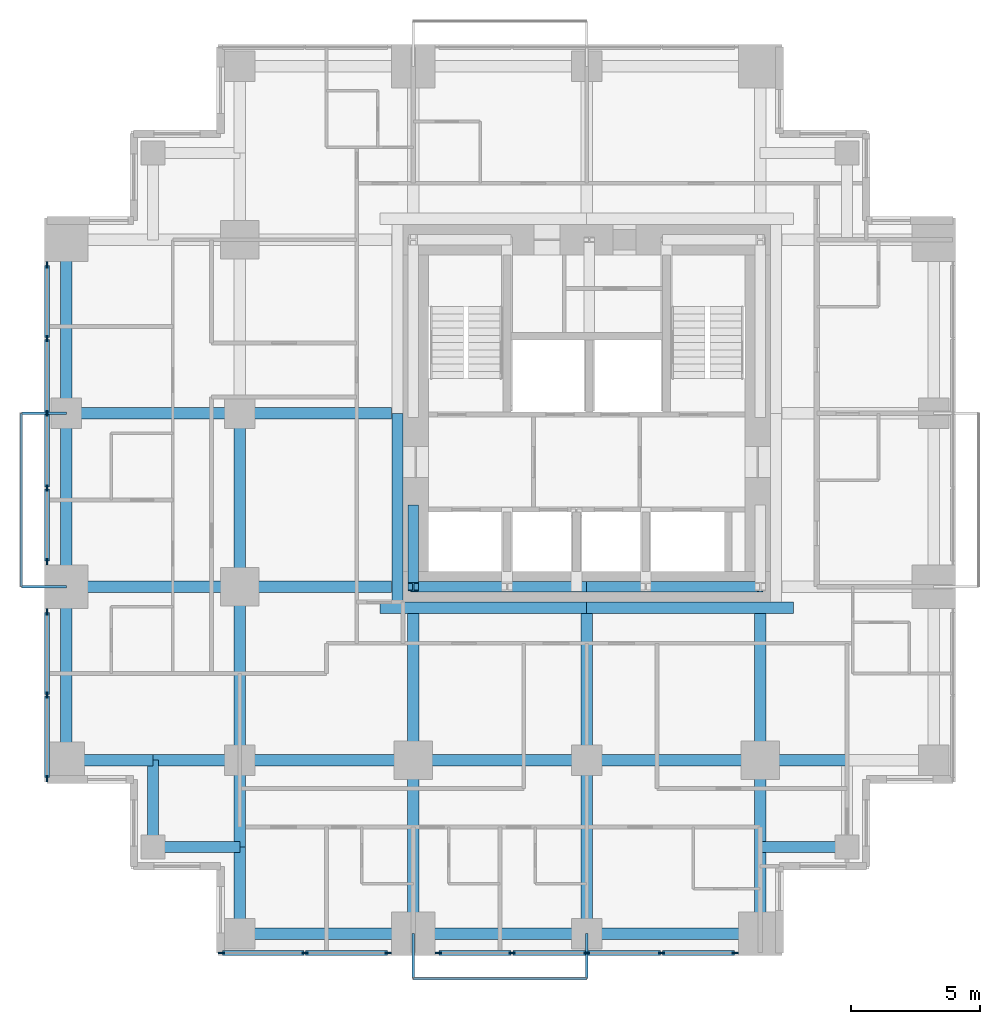
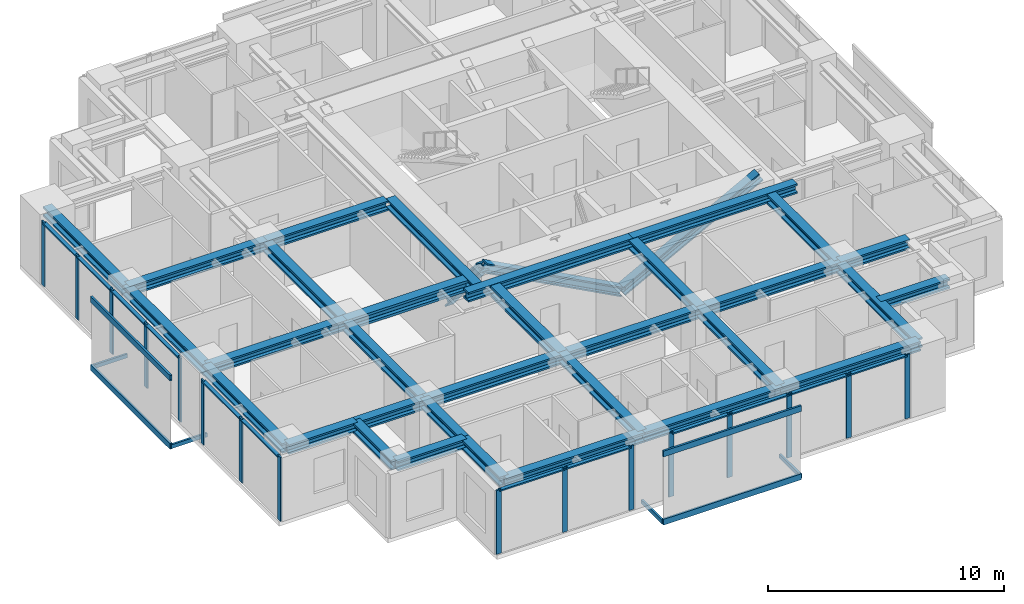
# One storey, part 2 of 10: 39 members, 32 beams, 4 elements without a shape of their own.
"""IFC4 building model written with IfcOpenShell, lengths in metres."""

from ifc_helpers import new_model, si_unit, direction, frame, origin, origin_2d, place, context, subcontext, project, spatial, rectangle, hollow_rectangle, i_section, extrude, material, material_profile, profile_set, type_object, element, aggregate, save


model = new_model("IFC4")

# Units and contexts
model_context = context("Model", 3, precision=1e-05, world=origin(), true_north=direction((0.0, 1.0)))
body_context = subcontext(model_context, "Body", "Model", "MODEL_VIEW")
ifc_project = project(units=[si_unit("LENGTHUNIT", "METRE"), si_unit("AREAUNIT", "SQUARE_METRE"), si_unit("VOLUMEUNIT", "CUBIC_METRE"), si_unit("PLANEANGLEUNIT", "RADIAN"), si_unit("MASSUNIT", "GRAM", prefix="KILO")], contexts=[model_context])

# Site, building, storey
site_placement = place(None, origin())
site = spatial("IfcSite", under=ifc_project, at=site_placement, CompositionType="ELEMENT")
building_placement = place(site_placement, origin())
building = spatial("IfcBuilding", under=site, at=building_placement, Name="Nyansa Garden Tower", CompositionType="ELEMENT")
storey_placement = place(building_placement, frame((0.0, 0.0, 196.199951171875)))
storey = spatial("IfcBuildingStorey", under=building, at=storey_placement, Name="L53", CompositionType="ELEMENT", Elevation=196.199951171875)

# Curtain wall, members
ifc_material_1 = material(Name="Black anodised aluminium, dark tinted double glazing", Category="aluminium")
curtain_wall_type = type_object("IfcCurtainWallType", Name="Inner skin curtain wall ISW-C", PredefinedType="USERDEFINED", material=ifc_material_1)
curtain_wall_1_placement = place(storey_placement, origin())
curtain_wall_1 = element("IfcCurtainWall", 1, at=curtain_wall_1_placement, inside=storey, type_object=curtain_wall_type, Name="Inner skin curtain wall L53 W", ObjectType="UNITISED CURTAIN WALL", PredefinedType="USERDEFINED")
ifc_material_2 = material(Name="Black anodised aluminium", Category="aluminium")
ifc_material_profile_1 = material_profile(ifc_material_2, rectangle(XDim=0.070068359375, YDim=0.25, at=origin_2d()), Name="Mullion 250x70")
ifc_profile_set_1 = profile_set([ifc_material_profile_1], Name="Black anodised aluminium")
member_type_1 = type_object("IfcMemberType", Name="Mullion ISW-C 250x70", PredefinedType="MULLION", material=ifc_profile_set_1)
member_1_placement = place(storey_placement, frame((-0.75, 26.02490234375, 0.0), z_axis=(0.0, 0.0, 1.0), x_axis=(1.0, 0.0, 0.0)))
member_1 = element("IfcMember", 2, at=member_1_placement, type_object=member_type_1, Name="ISW-C mullion 1", PredefinedType="MULLION", context=body_context, shape_type="SweptSolid", body=[
    extrude(rectangle(XDim=0.070068359375, YDim=0.25, at=origin_2d()), origin(), (0.0, 0.0, 1.0), 3.300048828125),
])
member_2_placement = place(storey_placement, frame((-0.75, 23.155029296875, 0.0), z_axis=(0.0, 0.0, 1.0), x_axis=(1.0, 0.0, 0.0)))
member_2 = element("IfcMember", 3, at=member_2_placement, type_object=member_type_1, Name="ISW-C mullion 2", PredefinedType="MULLION", context=body_context, shape_type="SweptSolid", body=[
    extrude(rectangle(XDim=0.070068359375, YDim=0.25, at=origin_2d()), origin(), (0.0, 0.0, 1.0), 3.300048828125),
])
member_3_placement = place(storey_placement, frame((-0.75, 20.25, 0.0), z_axis=(0.0, 0.0, 1.0), x_axis=(1.0, 0.0, 0.0)))
member_3 = element("IfcMember", 4, at=member_3_placement, type_object=member_type_1, Name="ISW-C mullion 3", PredefinedType="MULLION", context=body_context, shape_type="SweptSolid", body=[
    extrude(rectangle(XDim=0.070068359375, YDim=0.25, at=origin_2d()), origin(), (0.0, 0.0, 1.0), 3.300048828125),
])
member_4_placement = place(storey_placement, frame((-0.75, 17.344970703125, 0.0), z_axis=(0.0, 0.0, 1.0), x_axis=(1.0, 0.0, 0.0)))
member_4 = element("IfcMember", 5, at=member_4_placement, type_object=member_type_1, Name="ISW-C mullion 4", PredefinedType="MULLION", context=body_context, shape_type="SweptSolid", body=[
    extrude(rectangle(XDim=0.070068359375, YDim=0.25, at=origin_2d()), origin(), (0.0, 0.0, 1.0), 3.300048828125),
])
member_5_placement = place(storey_placement, frame((-0.75, 14.47509765625, 0.0), z_axis=(0.0, 0.0, 1.0), x_axis=(1.0, 0.0, 0.0)))
member_5 = element("IfcMember", 6, at=member_5_placement, type_object=member_type_1, Name="ISW-C mullion 5", PredefinedType="MULLION", context=body_context, shape_type="SweptSolid", body=[
    extrude(rectangle(XDim=0.070068359375, YDim=0.25, at=origin_2d()), origin(), (0.0, 0.0, 1.0), 3.300048828125),
])

curtain_wall_2_placement = place(storey_placement, origin())
curtain_wall_2 = element("IfcCurtainWall", 7, at=curtain_wall_2_placement, inside=storey, type_object=curtain_wall_type, Name="Inner skin curtain wall L53 W", ObjectType="UNITISED CURTAIN WALL", PredefinedType="USERDEFINED")
member_6_placement = place(storey_placement, frame((-0.75, 12.52490234375, 0.0), z_axis=(0.0, 0.0, 1.0), x_axis=(1.0, 0.0, 0.0)))
member_6 = element("IfcMember", 8, at=member_6_placement, type_object=member_type_1, Name="ISW-C mullion 1", PredefinedType="MULLION", context=body_context, shape_type="SweptSolid", body=[
    extrude(rectangle(XDim=0.070068359375, YDim=0.25, at=origin_2d()), origin(), (0.0, 0.0, 1.0), 3.300048828125),
])
member_7_placement = place(storey_placement, frame((-0.75, 9.280029296875, 0.0), z_axis=(0.0, 0.0, 1.0), x_axis=(1.0, 0.0, 0.0)))
member_7 = element("IfcMember", 9, at=member_7_placement, type_object=member_type_1, Name="ISW-C mullion 2", PredefinedType="MULLION", context=body_context, shape_type="SweptSolid", body=[
    extrude(rectangle(XDim=0.070068359375, YDim=0.25, at=origin_2d()), origin(), (0.0, 0.0, 1.0), 3.300048828125),
])
member_8_placement = place(storey_placement, frame((-0.75, 6.034912109375, 0.0), z_axis=(0.0, 0.0, 1.0), x_axis=(1.0, 0.0, 0.0)))
member_8 = element("IfcMember", 10, at=member_8_placement, type_object=member_type_1, Name="ISW-C mullion 3", PredefinedType="MULLION", context=body_context, shape_type="SweptSolid", body=[
    extrude(rectangle(XDim=0.070068359375, YDim=0.25, at=origin_2d()), origin(), (0.0, 0.0, 1.0), 3.300048828125),
])

curtain_wall_3_placement = place(storey_placement, origin())
curtain_wall_3 = element("IfcCurtainWall", 11, at=curtain_wall_3_placement, inside=storey, type_object=curtain_wall_type, Name="Inner skin curtain wall L53 S", ObjectType="UNITISED CURTAIN WALL", PredefinedType="USERDEFINED")
member_9_placement = place(storey_placement, frame((6.034912109375, -0.75, 0.0), z_axis=(0.0, 0.0, 1.0), x_axis=(0.0, 1.0, 0.0)))
member_9 = element("IfcMember", 12, at=member_9_placement, type_object=member_type_1, Name="ISW-C mullion 1", PredefinedType="MULLION", context=body_context, shape_type="SweptSolid", body=[
    extrude(rectangle(XDim=0.070068359375, YDim=0.25, at=origin_2d()), origin(), (0.0, 0.0, 1.0), 3.300048828125),
])
member_10_placement = place(storey_placement, frame((9.280029296875, -0.75, 0.0), z_axis=(0.0, 0.0, 1.0), x_axis=(0.0, 1.0, 0.0)))
member_10 = element("IfcMember", 13, at=member_10_placement, type_object=member_type_1, Name="ISW-C mullion 2", PredefinedType="MULLION", context=body_context, shape_type="SweptSolid", body=[
    extrude(rectangle(XDim=0.070068359375, YDim=0.25, at=origin_2d()), origin(), (0.0, 0.0, 1.0), 3.300048828125),
])
member_11_placement = place(storey_placement, frame((12.52490234375, -0.75, 0.0), z_axis=(0.0, 0.0, 1.0), x_axis=(0.0, 1.0, 0.0)))
member_11 = element("IfcMember", 14, at=member_11_placement, type_object=member_type_1, Name="ISW-C mullion 3", PredefinedType="MULLION", context=body_context, shape_type="SweptSolid", body=[
    extrude(rectangle(XDim=0.070068359375, YDim=0.25, at=origin_2d()), origin(), (0.0, 0.0, 1.0), 3.300048828125),
])

curtain_wall_4_placement = place(storey_placement, origin())
curtain_wall_4 = element("IfcCurtainWall", 15, at=curtain_wall_4_placement, inside=storey, type_object=curtain_wall_type, Name="Inner skin curtain wall L53 S", ObjectType="UNITISED CURTAIN WALL", PredefinedType="USERDEFINED")
member_12_placement = place(storey_placement, frame((14.47509765625, -0.75, 0.0), z_axis=(0.0, 0.0, 1.0), x_axis=(0.0, 1.0, 0.0)))
member_12 = element("IfcMember", 16, at=member_12_placement, type_object=member_type_1, Name="ISW-C mullion 1", PredefinedType="MULLION", context=body_context, shape_type="SweptSolid", body=[
    extrude(rectangle(XDim=0.070068359375, YDim=0.25, at=origin_2d()), origin(), (0.0, 0.0, 1.0), 3.300048828125),
])
member_13_placement = place(storey_placement, frame((17.344970703125, -0.75, 0.0), z_axis=(0.0, 0.0, 1.0), x_axis=(0.0, 1.0, 0.0)))
member_13 = element("IfcMember", 17, at=member_13_placement, type_object=member_type_1, Name="ISW-C mullion 2", PredefinedType="MULLION", context=body_context, shape_type="SweptSolid", body=[
    extrude(rectangle(XDim=0.070068359375, YDim=0.25, at=origin_2d()), origin(), (0.0, 0.0, 1.0), 3.300048828125),
])
member_14_placement = place(storey_placement, frame((20.25, -0.75, 0.0), z_axis=(0.0, 0.0, 1.0), x_axis=(0.0, 1.0, 0.0)))
member_14 = element("IfcMember", 18, at=member_14_placement, type_object=member_type_1, Name="ISW-C mullion 3", PredefinedType="MULLION", context=body_context, shape_type="SweptSolid", body=[
    extrude(rectangle(XDim=0.070068359375, YDim=0.25, at=origin_2d()), origin(), (0.0, 0.0, 1.0), 3.300048828125),
])
member_15_placement = place(storey_placement, frame((23.155029296875, -0.75, 0.0), z_axis=(0.0, 0.0, 1.0), x_axis=(0.0, 1.0, 0.0)))
member_15 = element("IfcMember", 19, at=member_15_placement, type_object=member_type_1, Name="ISW-C mullion 4", PredefinedType="MULLION", context=body_context, shape_type="SweptSolid", body=[
    extrude(rectangle(XDim=0.070068359375, YDim=0.25, at=origin_2d()), origin(), (0.0, 0.0, 1.0), 3.300048828125),
])
member_16_placement = place(storey_placement, frame((26.02490234375, -0.75, 0.0), z_axis=(0.0, 0.0, 1.0), x_axis=(0.0, 1.0, 0.0)))
member_16 = element("IfcMember", 20, at=member_16_placement, type_object=member_type_1, Name="ISW-C mullion 5", PredefinedType="MULLION", context=body_context, shape_type="SweptSolid", body=[
    extrude(rectangle(XDim=0.070068359375, YDim=0.25, at=origin_2d()), origin(), (0.0, 0.0, 1.0), 3.300048828125),
])

# Members
ifc_material_3 = material(Name="Steel S355, black powder coated", Category="steel")
ifc_material_profile_2 = material_profile(ifc_material_3, hollow_rectangle(XDim=0.10009765625, YDim=0.199951171875, WallThickness=0.008056640625, at=origin_2d()), Name="RHS 200x100x8")
ifc_profile_set_2 = profile_set([ifc_material_profile_2], Name="Steel S355, black powder coated")
member_type_2 = type_object("IfcMemberType", Name="Outer skin bracket arm RHS 200x100x8", PredefinedType="USERDEFINED", material=ifc_profile_set_2)
for number, where, z_axis, x_axis, name in (
    (21, (0.0, 13.5, -0.375), (-1.0, 0.0, 0.0), (0.0, -1.0, 0.0), "Outer skin bracket arm"),
    (22, (0.0, 20.25, -0.375), (-1.0, 0.0, 0.0), (0.0, -1.0, 0.0), "Outer skin bracket arm"),
    (23, (13.5, 0.0, -0.375), (0.0, -1.0, 0.0), (1.0, 0.0, 0.0), "Outer skin bracket arm"),
    (24, (20.25, 0.0, -0.375), (0.0, -1.0, 0.0), (1.0, 0.0, 0.0), "Outer skin bracket arm"),
):
    element("IfcMember", number, at=place(storey_placement, frame(where, z_axis=z_axis, x_axis=x_axis)), inside=storey, type_object=member_type_2, Name=name, ObjectType="OUTER SKIN BRACKET", PredefinedType="USERDEFINED", context=body_context, shape_type="SweptSolid", body=[
        extrude(hollow_rectangle(XDim=0.10009765625, YDim=0.199951171875, WallThickness=0.008056640625, at=origin_2d()), origin(), (0.0, 0.0, 1.0), 1.75),
    ])
ifc_material_4 = material(Name="Steel S355, black powder coated", Category="steel")
ifc_material_profile_3 = material_profile(ifc_material_4, hollow_rectangle(XDim=0.10009765625, YDim=0.300048828125, WallThickness=0.010009765625, at=origin_2d()), Name="RHS 300x100x10")
ifc_profile_set_3 = profile_set([ifc_material_profile_3], Name="Steel S355, black powder coated")
member_type_3 = type_object("IfcMemberType", Name="Outer skin rail RHS 300x100x10", PredefinedType="USERDEFINED", material=ifc_profile_set_3)
for number, where, z_axis, x_axis, name in (
    (25, (-1.75, 13.5, -0.375), (0.0, 1.0, 0.0), (-1.0, 0.0, 0.0), "Outer skin rail L53"),
    (26, (-1.75, 13.5, 3.150146484375), (0.0, 1.0, 0.0), (-1.0, 0.0, 0.0), "Outer skin rail L53 head"),
    (27, (13.5, -1.75, -0.375), (1.0, 0.0, 0.0), (0.0, 1.0, 0.0), "Outer skin rail L53"),
    (28, (13.5, -1.75, 3.150146484375), (1.0, 0.0, 0.0), (0.0, 1.0, 0.0), "Outer skin rail L53 head"),
):
    element("IfcMember", number, at=place(storey_placement, frame(where, z_axis=z_axis, x_axis=x_axis)), inside=storey, type_object=member_type_3, Name=name, ObjectType="OUTER SKIN RAIL", PredefinedType="USERDEFINED", context=body_context, shape_type="SweptSolid", body=[
        extrude(hollow_rectangle(XDim=0.10009765625, YDim=0.300048828125, WallThickness=0.010009765625, at=origin_2d()), origin(), (0.0, 0.0, 1.0), 6.75),
    ])
ifc_material_5 = material(Name="Steel S355", Category="steel")
ifc_material_profile_4 = material_profile(ifc_material_5, i_section(OverallWidth=0.41796875, OverallDepth=0.455078125, WebThickness=0.0419921875, FlangeThickness=0.067626953125, FilletRadius=0.014892578125, at=origin_2d()), Name="HD 400x463")
ifc_profile_set_4 = profile_set([ifc_material_profile_4], Name="Steel S355")
member_type_4 = type_object("IfcMemberType", Name="Perimeter brace heavy HD 400x463", PredefinedType="BRACE", material=ifc_profile_set_4)
for number, where, z_axis, x_axis, name in (
    (29, (20.25, 13.5, 0.0), (-0.882347640589, 0.0, 0.47059817376), (0.0, -1.0, 0.0), "Core brace CS1 L53"),
    (30, (20.25, 13.5, 0.0), (0.882347640589, 0.0, 0.47059817376), (0.0, 1.0, 0.0), "Core brace CS2 L53"),
):
    element("IfcMember", number, at=place(storey_placement, frame(where, z_axis=z_axis, x_axis=x_axis)), inside=storey, type_object=member_type_4, Name=name, PredefinedType="BRACE", context=body_context, shape_type="SweptSolid", body=[
        extrude(i_section(OverallWidth=0.41796875, OverallDepth=0.455078125, WebThickness=0.0419921875, FlangeThickness=0.067626953125, FilletRadius=0.014892578125, at=origin_2d()), origin(), (0.0, 0.0, 1.0), 7.650146484375),
    ])
member_17_placement = place(storey_placement, frame((13.5, 16.5, 0.0), z_axis=(0.0, -0.640174150918, 0.768229820104), x_axis=(1.0, 0.0, 0.0)))
element("IfcMember", 31, at=member_17_placement, inside=storey, type_object=member_type_4, Name="Core brace CW5 L53", PredefinedType="BRACE", context=body_context, shape_type="SweptSolid", body=[
    extrude(i_section(OverallWidth=0.41796875, OverallDepth=0.455078125, WebThickness=0.0419921875, FlangeThickness=0.067626953125, FilletRadius=0.014892578125, at=origin_2d()), origin(), (0.0, 0.0, 1.0), 4.686279296875),
])

# Beams
ifc_material_6 = material(Name="Steel S355", Category="steel")
ifc_material_profile_5 = material_profile(ifc_material_6, i_section(OverallWidth=0.431884765625, OverallDepth=0.498046875, WebThickness=0.0556640625, FlangeThickness=0.0888671875, FilletRadius=0.014892578125, at=origin_2d()), Name="HD 400x744")
ifc_profile_set_5 = profile_set([ifc_material_profile_5], Name="Steel S355")
beam_type_1 = type_object("IfcBeamType", Name="Steel beam SBC2-744 HD 400x744", PredefinedType="BEAM", material=ifc_profile_set_5)
beam_1_placement = place(storey_placement, frame((0.0, 20.25, 3.051025390625), z_axis=(1.0, 0.0, 0.0), x_axis=(0.0, 1.0, 0.0)))
element("IfcBeam", 32, at=beam_1_placement, inside=storey, type_object=beam_type_1, Name="Steel beam 2/G-3/G L54", PredefinedType="BEAM", context=body_context, shape_type="SweptSolid", body=[
    extrude(i_section(OverallWidth=0.431884765625, OverallDepth=0.498046875, WebThickness=0.0556640625, FlangeThickness=0.0888671875, FilletRadius=0.014892578125, at=origin_2d()), origin(), (0.0, 0.0, 1.0), 6.75),
])
for number, where, z_axis, x_axis, name in (
    (33, (3.375, 6.75, 3.051025390625), (1.0, 0.0, 0.0), (0.0, 1.0, 0.0), "Steel beam 3.375/E-3/E L54"),
    (34, (6.75, 3.375, 3.051025390625), (0.0, 1.0, 0.0), (-1.0, 0.0, 0.0), "Steel beam 3/3.375-3/E L54"),
):
    element("IfcBeam", number, at=place(storey_placement, frame(where, z_axis=z_axis, x_axis=x_axis)), inside=storey, type_object=beam_type_1, Name=name, PredefinedType="BEAM", context=body_context, shape_type="SweptSolid", body=[
        extrude(i_section(OverallWidth=0.431884765625, OverallDepth=0.498046875, WebThickness=0.0556640625, FlangeThickness=0.0888671875, FilletRadius=0.014892578125, at=origin_2d()), origin(), (0.0, 0.0, 1.0), 3.375),
    ])
for number, where, z_axis, x_axis, name in (
    (35, (6.75, 6.75, 3.051025390625), (0.0, 1.0, 0.0), (-1.0, 0.0, 0.0), "Steel beam 3/E-3/F L54"),
    (36, (6.75, 6.75, 3.051025390625), (1.0, 0.0, 0.0), (0.0, 1.0, 0.0), "Steel beam 3/E-4/E L54"),
    (37, (6.75, 13.5, 3.051025390625), (0.0, 1.0, 0.0), (-1.0, 0.0, 0.0), "Steel beam 3/F-3/G L54"),
):
    element("IfcBeam", number, at=place(storey_placement, frame(where, z_axis=z_axis, x_axis=x_axis)), inside=storey, type_object=beam_type_1, Name=name, PredefinedType="BEAM", context=body_context, shape_type="SweptSolid", body=[
        extrude(i_section(OverallWidth=0.431884765625, OverallDepth=0.498046875, WebThickness=0.0556640625, FlangeThickness=0.0888671875, FilletRadius=0.014892578125, at=origin_2d()), origin(), (0.0, 0.0, 1.0), 6.75),
    ])
beam_2_placement = place(storey_placement, frame((6.75, 20.25, 3.051025390625), z_axis=(1.0, 0.0, 0.0), x_axis=(0.0, 1.0, 0.0)))
element("IfcBeam", 38, at=beam_2_placement, inside=storey, type_object=beam_type_1, Name="Steel beam 3/G-12.650/G L54", PredefinedType="BEAM", context=body_context, shape_type="SweptSolid", body=[
    extrude(i_section(OverallWidth=0.431884765625, OverallDepth=0.498046875, WebThickness=0.0556640625, FlangeThickness=0.0888671875, FilletRadius=0.014892578125, at=origin_2d()), origin(), (0.0, 0.0, 1.0), 5.89990234375),
])
for number, where, z_axis, x_axis, name in (
    (39, (13.5, 6.75, 3.051025390625), (1.0, 0.0, 0.0), (0.0, 1.0, 0.0), "Steel beam 4/E-5/E L54"),
    (40, (20.25, 0.0, 3.051025390625), (0.0, 1.0, 0.0), (-1.0, 0.0, 0.0), "Steel beam 5/D-5/E L54"),
):
    element("IfcBeam", number, at=place(storey_placement, frame(where, z_axis=z_axis, x_axis=x_axis)), inside=storey, type_object=beam_type_1, Name=name, PredefinedType="BEAM", context=body_context, shape_type="SweptSolid", body=[
        extrude(i_section(OverallWidth=0.431884765625, OverallDepth=0.498046875, WebThickness=0.0556640625, FlangeThickness=0.0888671875, FilletRadius=0.014892578125, at=origin_2d()), origin(), (0.0, 0.0, 1.0), 6.75),
    ])
beam_3_placement = place(storey_placement, frame((20.25, 6.75, 3.051025390625), z_axis=(0.0, 1.0, 0.0), x_axis=(-1.0, 0.0, 0.0)))
element("IfcBeam", 41, at=beam_3_placement, inside=storey, type_object=beam_type_1, Name="Steel beam 5/E-5/12.450 L54", PredefinedType="BEAM", context=body_context, shape_type="SweptSolid", body=[
    extrude(i_section(OverallWidth=0.431884765625, OverallDepth=0.498046875, WebThickness=0.0556640625, FlangeThickness=0.0888671875, FilletRadius=0.014892578125, at=origin_2d()), origin(), (0.0, 0.0, 1.0), 5.699951171875),
])
beam_4_placement = place(storey_placement, frame((20.25, 6.75, 3.051025390625), z_axis=(1.0, 0.0, 0.0), x_axis=(0.0, 1.0, 0.0)))
element("IfcBeam", 42, at=beam_4_placement, inside=storey, type_object=beam_type_1, Name="Steel beam 5/E-6/E L54", PredefinedType="BEAM", context=body_context, shape_type="SweptSolid", body=[
    extrude(i_section(OverallWidth=0.431884765625, OverallDepth=0.498046875, WebThickness=0.0556640625, FlangeThickness=0.0888671875, FilletRadius=0.014892578125, at=origin_2d()), origin(), (0.0, 0.0, 1.0), 6.75),
])
beam_5_placement = place(storey_placement, frame((27.0, 6.75, 3.051025390625), z_axis=(1.0, 0.0, 0.0), x_axis=(0.0, 1.0, 0.0)))
element("IfcBeam", 43, at=beam_5_placement, inside=storey, type_object=beam_type_1, Name="Steel beam 6/E-30.375/E L54", PredefinedType="BEAM", context=body_context, shape_type="SweptSolid", body=[
    extrude(i_section(OverallWidth=0.431884765625, OverallDepth=0.498046875, WebThickness=0.0556640625, FlangeThickness=0.0888671875, FilletRadius=0.014892578125, at=origin_2d()), origin(), (0.0, 0.0, 1.0), 3.375),
])
ifc_material_7 = material(Name="Steel S355", Category="steel")
ifc_material_profile_6 = material_profile(ifc_material_7, i_section(OverallWidth=0.431884765625, OverallDepth=0.498046875, WebThickness=0.0556640625, FlangeThickness=0.0888671875, FilletRadius=0.014892578125, at=origin_2d()), Name="HD 400x744")
ifc_profile_set_6 = profile_set([ifc_material_profile_6], Name="Steel S355")
beam_type_2 = type_object("IfcBeamType", Name="Steel beam SEBC-744 HD 400x744", PredefinedType="BEAM", material=ifc_profile_set_6)
for number, where, z_axis, x_axis, name in (
    (44, (0.0, 6.75, 3.051025390625), (0.0, 1.0, 0.0), (-1.0, 0.0, 0.0), "Steel edge beam 2/E-2/F L54"),
    (45, (0.0, 13.5, 3.051025390625), (0.0, 1.0, 0.0), (-1.0, 0.0, 0.0), "Steel edge beam 2/F-2/G L54"),
    (46, (0.0, 20.25, 3.051025390625), (0.0, 1.0, 0.0), (-1.0, 0.0, 0.0), "Steel edge beam 2/G-2/H L54"),
    (47, (6.75, 0.0, 3.051025390625), (1.0, 0.0, 0.0), (0.0, 1.0, 0.0), "Steel edge beam 3/D-4/D L54"),
    (48, (13.5, 0.0, 3.051025390625), (1.0, 0.0, 0.0), (0.0, 1.0, 0.0), "Steel edge beam 4/D-5/D L54"),
    (49, (20.25, 0.0, 3.051025390625), (1.0, 0.0, 0.0), (0.0, 1.0, 0.0), "Steel edge beam 5/D-6/D L54"),
):
    element("IfcBeam", number, at=place(storey_placement, frame(where, z_axis=z_axis, x_axis=x_axis)), inside=storey, type_object=beam_type_2, Name=name, PredefinedType="BEAM", context=body_context, shape_type="SweptSolid", body=[
        extrude(i_section(OverallWidth=0.431884765625, OverallDepth=0.498046875, WebThickness=0.0556640625, FlangeThickness=0.0888671875, FilletRadius=0.014892578125, at=origin_2d()), origin(), (0.0, 0.0, 1.0), 6.75),
    ])
ifc_material_8 = material(Name="Steel S355", Category="steel")
ifc_material_profile_7 = material_profile(ifc_material_8, i_section(OverallWidth=0.431884765625, OverallDepth=0.498046875, WebThickness=0.0556640625, FlangeThickness=0.0888671875, FilletRadius=0.014892578125, at=origin_2d()), Name="HD 400x744")
ifc_profile_set_7 = profile_set([ifc_material_profile_7], Name="Steel S355")
beam_type_3 = type_object("IfcBeamType", Name="Steel beam SEBC2-744 HD 400x744", PredefinedType="BEAM", material=ifc_profile_set_7)
for number, where, z_axis, x_axis, name in (
    (50, (0.0, 6.75, 3.051025390625), (1.0, 0.0, 0.0), (0.0, 1.0, 0.0), "Steel edge beam 2/E-3.375/E L54"),
    (51, (6.75, 0.0, 3.051025390625), (0.0, 1.0, 0.0), (-1.0, 0.0, 0.0), "Steel edge beam 3/D-3/3.375 L54"),
):
    element("IfcBeam", number, at=place(storey_placement, frame(where, z_axis=z_axis, x_axis=x_axis)), inside=storey, type_object=beam_type_3, Name=name, PredefinedType="BEAM", context=body_context, shape_type="SweptSolid", body=[
        extrude(i_section(OverallWidth=0.431884765625, OverallDepth=0.498046875, WebThickness=0.0556640625, FlangeThickness=0.0888671875, FilletRadius=0.014892578125, at=origin_2d()), origin(), (0.0, 0.0, 1.0), 3.375),
    ])
ifc_material_9 = material(Name="Steel S355", Category="steel")
ifc_material_profile_8 = material_profile(ifc_material_9, i_section(OverallWidth=0.431884765625, OverallDepth=0.498046875, WebThickness=0.0556640625, FlangeThickness=0.0888671875, FilletRadius=0.014892578125, at=origin_2d()), Name="HD 400x744")
ifc_profile_set_8 = profile_set([ifc_material_profile_8], Name="Steel S355")
beam_type_4 = type_object("IfcBeamType", Name="Steel beam SLB1-744 HD 400x744", PredefinedType="BEAM", material=ifc_profile_set_8)
for number, where, z_axis, x_axis, name in (
    (52, (12.199951171875, 12.68408203125, 3.051025390625), (1.0, 0.0, 0.0), (0.0, 1.0, 0.0), "Steel core ledger beam S.1 L54"),
    (53, (20.25, 12.68408203125, 3.051025390625), (1.0, 0.0, 0.0), (0.0, 1.0, 0.0), "Steel core ledger beam S.2 L54"),
):
    element("IfcBeam", number, at=place(storey_placement, frame(where, z_axis=z_axis, x_axis=x_axis)), inside=storey, type_object=beam_type_4, Name=name, PredefinedType="BEAM", context=body_context, shape_type="SweptSolid", body=[
        extrude(i_section(OverallWidth=0.431884765625, OverallDepth=0.498046875, WebThickness=0.0556640625, FlangeThickness=0.0888671875, FilletRadius=0.014892578125, at=origin_2d()), origin(), (0.0, 0.0, 1.0), 8.050048828125),
    ])
beam_6_placement = place(storey_placement, frame((12.884033203125, 20.25, 3.051025390625), z_axis=(0.0, -1.0, 0.0), x_axis=(1.0, 0.0, 0.0)))
element("IfcBeam", 54, at=beam_6_placement, inside=storey, type_object=beam_type_4, Name="Steel core ledger beam W.2 L54", PredefinedType="BEAM", context=body_context, shape_type="SweptSolid", body=[
    extrude(i_section(OverallWidth=0.431884765625, OverallDepth=0.498046875, WebThickness=0.0556640625, FlangeThickness=0.0888671875, FilletRadius=0.014892578125, at=origin_2d()), origin(), (0.0, 0.0, 1.0), 7.35009765625),
])
ifc_material_10 = material(Name="Steel S355", Category="steel")
ifc_material_profile_9 = material_profile(ifc_material_10, i_section(OverallWidth=0.4541015625, OverallDepth=0.569091796875, WebThickness=0.077880859375, FlangeThickness=0.125, FilletRadius=0.014892578125, at=origin_2d()), Name="HD 400x1086")
ifc_profile_set_9 = profile_set([ifc_material_profile_9], Name="Steel S355")
beam_type_5 = type_object("IfcBeamType", Name="Steel beam SOC1-1086 HD 400x1086", PredefinedType="BEAM", material=ifc_profile_set_9)
beam_7_placement = place(storey_placement, frame((6.75, 13.5, 3.015625), z_axis=(1.0, 0.0, 0.0), x_axis=(0.0, 1.0, 0.0)))
element("IfcBeam", 55, at=beam_7_placement, inside=storey, type_object=beam_type_5, Name="Steel beam 3/F-12.650/F L54", PredefinedType="BEAM", context=body_context, shape_type="SweptSolid", body=[
    extrude(i_section(OverallWidth=0.4541015625, OverallDepth=0.569091796875, WebThickness=0.077880859375, FlangeThickness=0.125, FilletRadius=0.014892578125, at=origin_2d()), origin(), (0.0, 0.0, 1.0), 5.89990234375),
])
beam_8_placement = place(storey_placement, frame((13.5, 6.75, 3.015625), z_axis=(0.0, 1.0, 0.0), x_axis=(-1.0, 0.0, 0.0)))
element("IfcBeam", 56, at=beam_8_placement, inside=storey, type_object=beam_type_5, Name="Steel beam 4/E-4/12.450 L54", PredefinedType="BEAM", context=body_context, shape_type="SweptSolid", body=[
    extrude(i_section(OverallWidth=0.4541015625, OverallDepth=0.569091796875, WebThickness=0.077880859375, FlangeThickness=0.125, FilletRadius=0.014892578125, at=origin_2d()), origin(), (0.0, 0.0, 1.0), 5.699951171875),
])
ifc_material_11 = material(Name="Steel S355", Category="steel")
ifc_material_profile_10 = material_profile(ifc_material_11, i_section(OverallWidth=0.431884765625, OverallDepth=0.498046875, WebThickness=0.0556640625, FlangeThickness=0.0888671875, FilletRadius=0.014892578125, at=origin_2d()), Name="HD 400x744")
ifc_profile_set_10 = profile_set([ifc_material_profile_10], Name="Steel S355")
beam_type_6 = type_object("IfcBeamType", Name="Steel beam SOC1-744 HD 400x744", PredefinedType="BEAM", material=ifc_profile_set_10)
for number, where, z_axis, x_axis, name in (
    (57, (0.0, 13.5, 3.051025390625), (1.0, 0.0, 0.0), (0.0, 1.0, 0.0), "Steel beam 2/F-3/F L54"),
    (58, (13.5, 0.0, 3.051025390625), (0.0, 1.0, 0.0), (-1.0, 0.0, 0.0), "Steel beam 4/D-4/E L54"),
    (59, (27.0, 0.0, 3.051025390625), (0.0, 1.0, 0.0), (-1.0, 0.0, 0.0), "Steel beam 6/D-6/E L54"),
):
    element("IfcBeam", number, at=place(storey_placement, frame(where, z_axis=z_axis, x_axis=x_axis)), inside=storey, type_object=beam_type_6, Name=name, PredefinedType="BEAM", context=body_context, shape_type="SweptSolid", body=[
        extrude(i_section(OverallWidth=0.431884765625, OverallDepth=0.498046875, WebThickness=0.0556640625, FlangeThickness=0.0888671875, FilletRadius=0.014892578125, at=origin_2d()), origin(), (0.0, 0.0, 1.0), 6.75),
    ])
beam_9_placement = place(storey_placement, frame((27.0, 6.75, 3.051025390625), z_axis=(0.0, 1.0, 0.0), x_axis=(-1.0, 0.0, 0.0)))
element("IfcBeam", 60, at=beam_9_placement, inside=storey, type_object=beam_type_6, Name="Steel beam 6/E-6/12.450 L54", PredefinedType="BEAM", context=body_context, shape_type="SweptSolid", body=[
    extrude(i_section(OverallWidth=0.431884765625, OverallDepth=0.498046875, WebThickness=0.0556640625, FlangeThickness=0.0888671875, FilletRadius=0.014892578125, at=origin_2d()), origin(), (0.0, 0.0, 1.0), 5.699951171875),
])
ifc_material_12 = material(Name="Steel S355", Category="steel")
ifc_material_profile_11 = material_profile(ifc_material_12, i_section(OverallWidth=0.431884765625, OverallDepth=0.498046875, WebThickness=0.0556640625, FlangeThickness=0.0888671875, FilletRadius=0.014892578125, at=origin_2d()), Name="HD 400x744")
ifc_profile_set_11 = profile_set([ifc_material_profile_11], Name="Steel S355")
beam_type_7 = type_object("IfcBeamType", Name="Steel beam SSB1-744 HD 400x744", PredefinedType="BEAM", material=ifc_profile_set_11)
for number, where, z_axis, x_axis, name in (
    (61, (3.375, 3.375, 3.051025390625), (0.0, 1.0, 0.0), (-1.0, 0.0, 0.0), "Steel step beam 3.375/3.375 L54"),
    (62, (3.375, 3.375, 3.051025390625), (1.0, 0.0, 0.0), (0.0, 1.0, 0.0), "Steel step beam 3.375/3.375 L54"),
    (63, (30.375, 3.375, 3.051025390625), (-1.0, 0.0, 0.0), (0.0, -1.0, 0.0), "Steel step beam 30.375/3.375 L54"),
):
    element("IfcBeam", number, at=place(storey_placement, frame(where, z_axis=z_axis, x_axis=x_axis)), inside=storey, type_object=beam_type_7, Name=name, PredefinedType="BEAM", context=body_context, shape_type="SweptSolid", body=[
        extrude(i_section(OverallWidth=0.431884765625, OverallDepth=0.498046875, WebThickness=0.0556640625, FlangeThickness=0.0888671875, FilletRadius=0.014892578125, at=origin_2d()), origin(), (0.0, 0.0, 1.0), 3.375),
    ])

# Member
ifc_material_13 = material(Name="Black anodised aluminium", Category="aluminium")
ifc_material_profile_12 = material_profile(ifc_material_13, rectangle(XDim=0.179931640625, YDim=0.070068359375, at=origin_2d()), Name="Transom 180x70")
ifc_profile_set_12 = profile_set([ifc_material_profile_12], Name="Black anodised aluminium")
member_type_5 = type_object("IfcMemberType", Name="Transom ISW-C 180x70", PredefinedType="USERDEFINED", material=ifc_profile_set_12)
member_18_placement = place(storey_placement, frame((-0.75, 25.989990234375, 3.26513671875), z_axis=(0.0, -1.0, 0.0), x_axis=(1.0, 0.0, 0.0)))
member_18 = element("IfcMember", 64, at=member_18_placement, type_object=member_type_5, Name="ISW-C transom 1", ObjectType="TRANSOM", PredefinedType="USERDEFINED", context=body_context, shape_type="SweptSolid", body=[
    extrude(rectangle(XDim=0.179931640625, YDim=0.070068359375, at=origin_2d()), origin(), (0.0, 0.0, 1.0), 2.800048828125),
])

member_19_placement = place(storey_placement, frame((-0.75, 23.1201171875, 3.26513671875), z_axis=(0.0, -1.0, 0.0), x_axis=(1.0, 0.0, 0.0)))
member_19 = element("IfcMember", 65, at=member_19_placement, type_object=member_type_5, Name="ISW-C transom 2", ObjectType="TRANSOM", PredefinedType="USERDEFINED", context=body_context, shape_type="SweptSolid", body=[
    extrude(rectangle(XDim=0.179931640625, YDim=0.070068359375, at=origin_2d()), origin(), (0.0, 0.0, 1.0), 2.835205078125),
])

member_20_placement = place(storey_placement, frame((-0.75, 20.215087890625, 3.26513671875), z_axis=(0.0, -1.0, 0.0), x_axis=(1.0, 0.0, 0.0)))
member_20 = element("IfcMember", 66, at=member_20_placement, type_object=member_type_5, Name="ISW-C transom 3", ObjectType="TRANSOM", PredefinedType="USERDEFINED", context=body_context, shape_type="SweptSolid", body=[
    extrude(rectangle(XDim=0.179931640625, YDim=0.070068359375, at=origin_2d()), origin(), (0.0, 0.0, 1.0), 2.835205078125),
])

member_21_placement = place(storey_placement, frame((-0.75, 17.31005859375, 3.26513671875), z_axis=(0.0, -1.0, 0.0), x_axis=(1.0, 0.0, 0.0)))
member_21 = element("IfcMember", 67, at=member_21_placement, type_object=member_type_5, Name="ISW-C transom 4", ObjectType="TRANSOM", PredefinedType="USERDEFINED", context=body_context, shape_type="SweptSolid", body=[
    extrude(rectangle(XDim=0.179931640625, YDim=0.070068359375, at=origin_2d()), origin(), (0.0, 0.0, 1.0), 2.800048828125),
])

aggregate(curtain_wall_1, [member_1, member_2, member_3, member_4, member_5, member_18, member_19, member_20, member_21])

member_22_placement = place(storey_placement, frame((-0.75, 12.489990234375, 3.26513671875), z_axis=(0.0, -1.0, 0.0), x_axis=(1.0, 0.0, 0.0)))
member_22 = element("IfcMember", 68, at=member_22_placement, type_object=member_type_5, Name="ISW-C transom 1", ObjectType="TRANSOM", PredefinedType="USERDEFINED", context=body_context, shape_type="SweptSolid", body=[
    extrude(rectangle(XDim=0.179931640625, YDim=0.070068359375, at=origin_2d()), origin(), (0.0, 0.0, 1.0), 3.175048828125),
])

member_23_placement = place(storey_placement, frame((-0.75, 9.2451171875, 3.26513671875), z_axis=(0.0, -1.0, 0.0), x_axis=(1.0, 0.0, 0.0)))
member_23 = element("IfcMember", 69, at=member_23_placement, type_object=member_type_5, Name="ISW-C transom 2", ObjectType="TRANSOM", PredefinedType="USERDEFINED", context=body_context, shape_type="SweptSolid", body=[
    extrude(rectangle(XDim=0.179931640625, YDim=0.070068359375, at=origin_2d()), origin(), (0.0, 0.0, 1.0), 3.175048828125),
])

aggregate(curtain_wall_2, [member_6, member_7, member_8, member_22, member_23])

member_24_placement = place(storey_placement, frame((6.070068359375, -0.75, 3.26513671875), z_axis=(1.0, 0.0, 0.0), x_axis=(0.0, 1.0, 0.0)))
member_24 = element("IfcMember", 70, at=member_24_placement, type_object=member_type_5, Name="ISW-C transom 1", ObjectType="TRANSOM", PredefinedType="USERDEFINED", context=body_context, shape_type="SweptSolid", body=[
    extrude(rectangle(XDim=0.179931640625, YDim=0.070068359375, at=origin_2d()), origin(), (0.0, 0.0, 1.0), 3.175048828125),
])

member_25_placement = place(storey_placement, frame((9.31494140625, -0.75, 3.26513671875), z_axis=(1.0, 0.0, 0.0), x_axis=(0.0, 1.0, 0.0)))
member_25 = element("IfcMember", 71, at=member_25_placement, type_object=member_type_5, Name="ISW-C transom 2", ObjectType="TRANSOM", PredefinedType="USERDEFINED", context=body_context, shape_type="SweptSolid", body=[
    extrude(rectangle(XDim=0.179931640625, YDim=0.070068359375, at=origin_2d()), origin(), (0.0, 0.0, 1.0), 3.175048828125),
])

aggregate(curtain_wall_3, [member_9, member_10, member_11, member_24, member_25])

member_26_placement = place(storey_placement, frame((14.510009765625, -0.75, 3.26513671875), z_axis=(1.0, 0.0, 0.0), x_axis=(0.0, 1.0, 0.0)))
member_26 = element("IfcMember", 72, at=member_26_placement, type_object=member_type_5, Name="ISW-C transom 1", ObjectType="TRANSOM", PredefinedType="USERDEFINED", context=body_context, shape_type="SweptSolid", body=[
    extrude(rectangle(XDim=0.179931640625, YDim=0.070068359375, at=origin_2d()), origin(), (0.0, 0.0, 1.0), 2.800048828125),
])

member_27_placement = place(storey_placement, frame((17.3798828125, -0.75, 3.26513671875), z_axis=(1.0, 0.0, 0.0), x_axis=(0.0, 1.0, 0.0)))
member_27 = element("IfcMember", 73, at=member_27_placement, type_object=member_type_5, Name="ISW-C transom 2", ObjectType="TRANSOM", PredefinedType="USERDEFINED", context=body_context, shape_type="SweptSolid", body=[
    extrude(rectangle(XDim=0.179931640625, YDim=0.070068359375, at=origin_2d()), origin(), (0.0, 0.0, 1.0), 2.835205078125),
])

member_28_placement = place(storey_placement, frame((20.284912109375, -0.75, 3.26513671875), z_axis=(1.0, 0.0, 0.0), x_axis=(0.0, 1.0, 0.0)))
member_28 = element("IfcMember", 74, at=member_28_placement, type_object=member_type_5, Name="ISW-C transom 3", ObjectType="TRANSOM", PredefinedType="USERDEFINED", context=body_context, shape_type="SweptSolid", body=[
    extrude(rectangle(XDim=0.179931640625, YDim=0.070068359375, at=origin_2d()), origin(), (0.0, 0.0, 1.0), 2.835205078125),
])

member_29_placement = place(storey_placement, frame((23.18994140625, -0.75, 3.26513671875), z_axis=(1.0, 0.0, 0.0), x_axis=(0.0, 1.0, 0.0)))
member_29 = element("IfcMember", 75, at=member_29_placement, type_object=member_type_5, Name="ISW-C transom 4", ObjectType="TRANSOM", PredefinedType="USERDEFINED", context=body_context, shape_type="SweptSolid", body=[
    extrude(rectangle(XDim=0.179931640625, YDim=0.070068359375, at=origin_2d()), origin(), (0.0, 0.0, 1.0), 2.800048828125),
])

aggregate(curtain_wall_4, [member_12, member_13, member_14, member_15, member_16, member_26, member_27, member_28, member_29])

save(model, "model.ifc")
